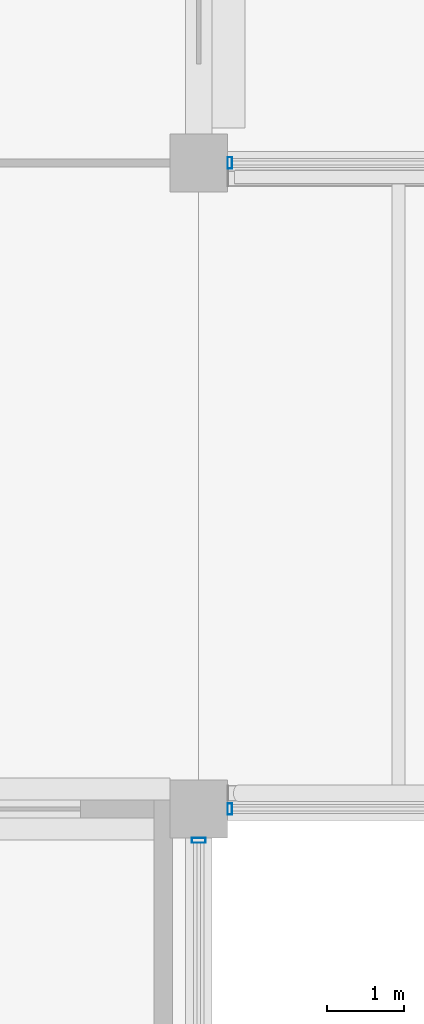
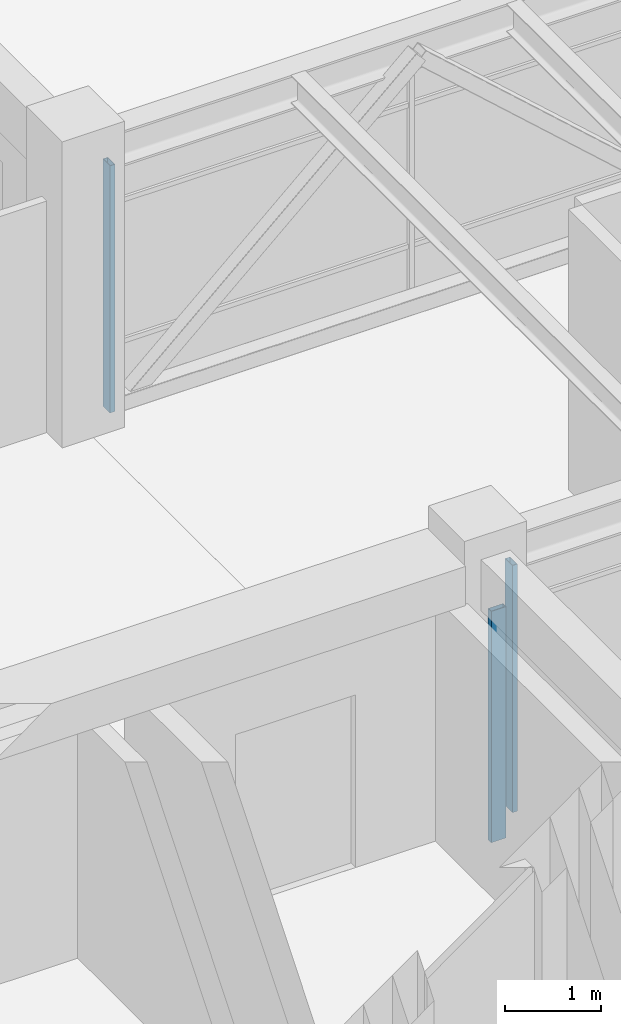
# One storey, part 9 of 72: 3 members, 3 elements without a shape of their own.
"""IFC4 building model written with IfcOpenShell, lengths in metres."""

from ifc_helpers import new_model, si_unit, direction, frame, origin, origin_2d, place, context, subcontext, project, spatial, hollow_rectangle, extrude, material, material_profile, profile_set, type_object, element, aggregate, save


model = new_model("IFC4")

# Units and contexts
model_context = context("Model", 3, precision=1e-05, world=origin(), true_north=direction((0.0, 1.0)))
body_context = subcontext(model_context, "Body", "Model", "MODEL_VIEW")
ifc_project = project(units=[si_unit("LENGTHUNIT", "METRE"), si_unit("AREAUNIT", "SQUARE_METRE"), si_unit("VOLUMEUNIT", "CUBIC_METRE"), si_unit("PLANEANGLEUNIT", "RADIAN"), si_unit("MASSUNIT", "GRAM", prefix="KILO"), si_unit("THERMODYNAMICTEMPERATUREUNIT", "KELVIN"), si_unit("POWERUNIT", "WATT")], contexts=[model_context])

# Site, building, storey
site_placement = place(None, origin())
site = spatial("IfcSite", under=ifc_project, at=site_placement, CompositionType="ELEMENT")
building_placement = place(site_placement, origin())
building = spatial("IfcBuilding", under=site, at=building_placement, Name="Srebrne Nadtorze General Hospital", CompositionType="ELEMENT")
storey_placement = place(building_placement, frame((0.0, 0.0, 22.199951171875)))
storey = spatial("IfcBuildingStorey", under=building, at=storey_placement, Name="L05", CompositionType="ELEMENT", Elevation=22.199951171875)

# Curtain wall, member
ifc_material_1 = material(Name="Anodised Aluminium", Category="aluminium")
curtain_wall_type_1 = type_object("IfcCurtainWallType", Name="Bridge curtain wall 7275x3150", PredefinedType="NOTDEFINED", material=ifc_material_1)
curtain_wall_1_placement = place(storey_placement, origin())
curtain_wall_1 = element("IfcCurtainWall", 1, at=curtain_wall_1_placement, inside=storey, type_object=curtain_wall_type_1, Name="Curtain wall CW-118", PredefinedType="NOTDEFINED")
ifc_material_2 = material(Name="Anodised Aluminium", Category="aluminium")
ifc_material_profile_1 = material_profile(ifc_material_2, hollow_rectangle(XDim=0.06005859375, YDim=0.14990234375, WallThickness=0.00390625, at=origin_2d()), Name="AL-MUL-60x150")
ifc_profile_set_1 = profile_set([ifc_material_profile_1], Name="Anodised Aluminium")
member_type_1 = type_object("IfcMemberType", Name="Curtain mullion 60x150", PredefinedType="MULLION", material=ifc_profile_set_1)
member_1_placement = place(storey_placement, frame((55.0048828125, 50.39990234375, 0.0), z_axis=(0.0, 0.0, 1.0), x_axis=(1.0, 0.0, 0.0)))
member_1 = element("IfcMember", 2, at=member_1_placement, type_object=member_type_1, Name="CW-118 mullion 1", PredefinedType="MULLION", context=body_context, shape_type="SweptSolid", body=[
    extrude(hollow_rectangle(XDim=0.06005859375, YDim=0.14990234375, WallThickness=0.00390625, at=origin_2d()), origin(), (0.0, 0.0, 1.0), 3.150146484375),
])
aggregate(curtain_wall_1, [member_1])

curtain_wall_2_placement = place(storey_placement, origin())
curtain_wall_2 = element("IfcCurtainWall", 3, at=curtain_wall_2_placement, inside=storey, type_object=curtain_wall_type_1, Name="Curtain wall CW-124", PredefinedType="NOTDEFINED")
member_2_placement = place(storey_placement, frame((55.0048828125, 58.800048828125, 0.0), z_axis=(0.0, 0.0, 1.0), x_axis=(1.0, 0.0, 0.0)))
member_2 = element("IfcMember", 4, at=member_2_placement, type_object=member_type_1, Name="CW-124 mullion 1", PredefinedType="MULLION", context=body_context, shape_type="SweptSolid", body=[
    extrude(hollow_rectangle(XDim=0.06005859375, YDim=0.14990234375, WallThickness=0.00390625, at=origin_2d()), origin(), (0.0, 0.0, 1.0), 3.150146484375),
])
aggregate(curtain_wall_2, [member_2])

ifc_material_3 = material(Name="Anodised Aluminium", Category="aluminium")
curtain_wall_type_2 = type_object("IfcCurtainWallType", Name="Unitised curtain wall 7650x2950", PredefinedType="NOTDEFINED", material=ifc_material_3)
curtain_wall_3_placement = place(storey_placement, origin())
curtain_wall_3 = element("IfcCurtainWall", 5, at=curtain_wall_3_placement, inside=storey, type_object=curtain_wall_type_2, Name="Curtain wall CW-131", PredefinedType="NOTDEFINED")
ifc_material_4 = material(Name="Anodised Aluminium", Category="aluminium")
ifc_material_profile_2 = material_profile(ifc_material_4, hollow_rectangle(XDim=0.06494140625, YDim=0.179931640625, WallThickness=0.00390625, at=origin_2d()), Name="AL-MUL-65x180")
ifc_profile_set_2 = profile_set([ifc_material_profile_2], Name="Anodised Aluminium")
member_type_2 = type_object("IfcMemberType", Name="Curtain mullion 65x180", PredefinedType="MULLION", material=ifc_profile_set_2)
member_3_placement = place(storey_placement, frame((54.60009765625, 49.992431640625, 0.0), z_axis=(0.0, 0.0, 1.0), x_axis=(0.0, 1.0, 0.0)))
member_3 = element("IfcMember", 6, at=member_3_placement, type_object=member_type_2, Name="CW-131 mullion 3", PredefinedType="MULLION", context=body_context, shape_type="SweptSolid", body=[
    extrude(hollow_rectangle(XDim=0.06494140625, YDim=0.179931640625, WallThickness=0.00390625, at=origin_2d()), origin(), (0.0, 0.0, 1.0), 2.949951171875),
])
aggregate(curtain_wall_3, [member_3])

save(model, "model.ifc")
